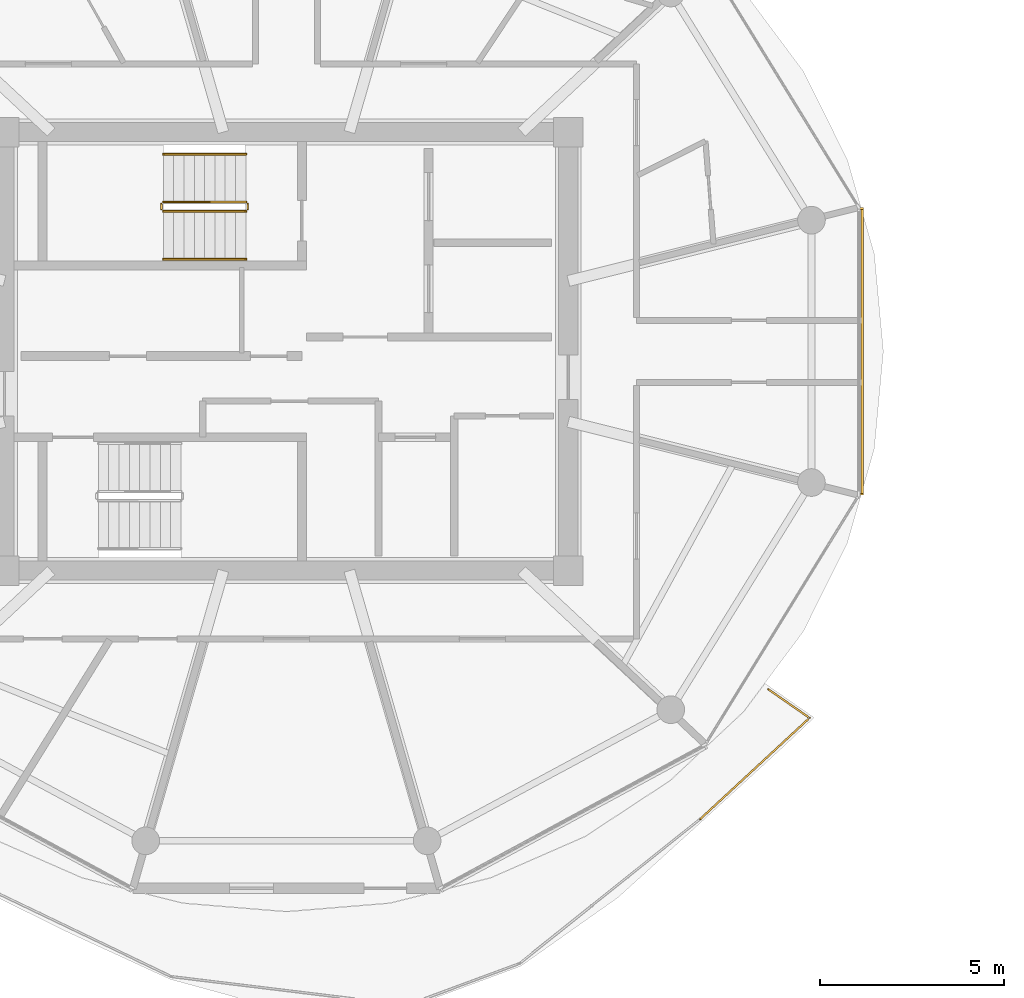
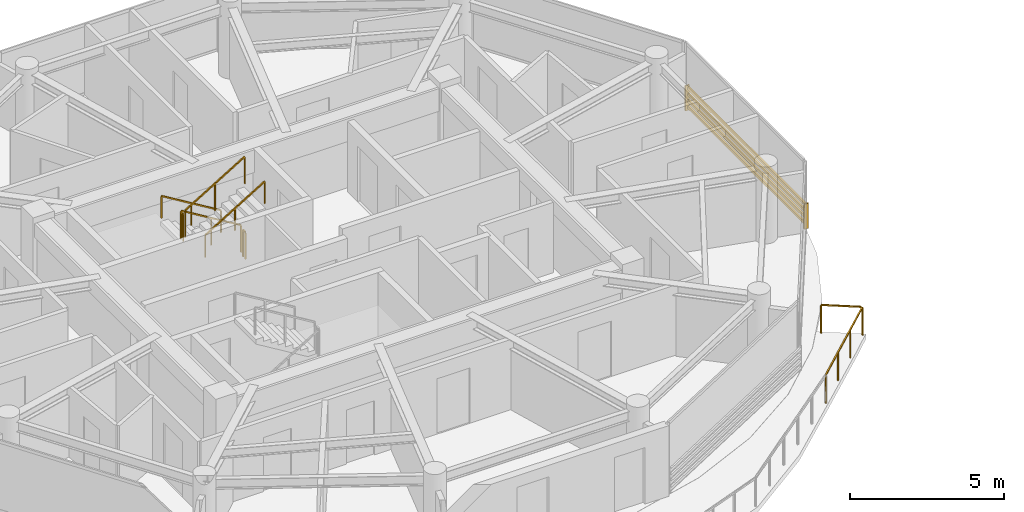
# One storey, part 17 of 19: 7 railings, 1 shading device.
"""IFC4 building model written with IfcOpenShell, lengths in metres."""

from ifc_helpers import new_model, si_unit, direction, frame, origin, origin_2d, place, context, subcontext, project, spatial, rectangle, extrude, source, transform, mapped, material, type_object, type_shapes, element, save


model = new_model("IFC4")

# Units and contexts
model_context = context("Model", 3, precision=1e-05, world=origin(), true_north=direction((0.0, 1.0)))
body_context = subcontext(model_context, "Body", "Model", "MODEL_VIEW")
ifc_project = project(units=[si_unit("LENGTHUNIT", "METRE"), si_unit("AREAUNIT", "SQUARE_METRE"), si_unit("VOLUMEUNIT", "CUBIC_METRE"), si_unit("PLANEANGLEUNIT", "RADIAN"), si_unit("MASSUNIT", "GRAM", prefix="KILO")], contexts=[model_context])

# Site, building, storey
site_placement = place(None, origin())
site = spatial("IfcSite", under=ifc_project, at=site_placement, CompositionType="ELEMENT")
building_placement = place(site_placement, origin())
building = spatial("IfcBuilding", under=site, at=building_placement, Name="Norrkilde Senior Care Towers", CompositionType="ELEMENT")
storey_placement = place(building_placement, frame((0.0, 0.0, 235.25)))
storey = spatial("IfcBuildingStorey", under=building, at=storey_placement, Name="L73", CompositionType="ELEMENT", Elevation=235.25)

# Railings
ifc_material_1 = material(Name="Anodised Aluminium", Category="aluminium")
railing_type_1 = type_object("IfcRailingType", Name="Balcony Swirl Ribbon Guardrail 1150", PredefinedType="GUARDRAIL", material=ifc_material_1)
railing_1_placement = place(storey_placement, frame((-14.91943359375, -9.1728515625, 0.0)))
element("IfcRailing", 1, at=railing_1_placement, inside=storey, type_object=railing_type_1, Name="L73 Perimeter Safety Guard 03", PredefinedType="GUARDRAIL", context=body_context, shape_type="SweptSolid", body=[
    extrude(rectangle(XDim=0.048095703125, YDim=0.048095703125, at=origin_2d()), frame((0.0, 0.0, 1.1259765625), z_axis=(0.821667213212, -0.569967534805, 0.0), x_axis=(0.569967534805, 0.821667213212, 0.0)), (0.0, 0.0, 1.0), 1.316162109375),
    extrude(rectangle(XDim=0.048095703125, YDim=0.048095703125, at=origin_2d()), frame((1.0849609375, -0.80126953125, 1.1259765625), z_axis=(-0.734152148145, -0.678984994955, 0.0), x_axis=(0.678984994955, -0.734152148145, 0.0)), (0.0, 0.0, 1.0), 3.99951171875),
    extrude(rectangle(XDim=0.0419921875, YDim=0.0419921875, at=origin_2d()), origin(), (0.0, 0.0, 1.0), 1.099853515625),
    extrude(rectangle(XDim=0.0419921875, YDim=0.0419921875, at=origin_2d()), frame((1.114990234375, -0.7734375, 0.0)), (0.0, 0.0, 1.0), 1.099853515625),
    extrude(rectangle(XDim=0.0419921875, YDim=0.0419921875, at=origin_2d()), frame((0.126220703125, -1.68798828125, 0.0)), (0.0, 0.0, 1.0), 1.099853515625),
    extrude(rectangle(XDim=0.0419921875, YDim=0.0419921875, at=origin_2d()), frame((-0.862548828125, -2.602294921875, 0.0)), (0.0, 0.0, 1.0), 1.099853515625),
    extrude(rectangle(XDim=0.0419921875, YDim=0.0419921875, at=origin_2d()), frame((-1.851318359375, -3.516845703125, 0.0)), (0.0, 0.0, 1.0), 1.099853515625),
])
ifc_material_2 = material(Name="Stainless Steel", Category="steel")
railing_type_2 = type_object("IfcRailingType", Name="Stair and Terrace Guardrail 1100", PredefinedType="GUARDRAIL", material=ifc_material_2)
railing_2_placement = place(storey_placement, frame((-29.10009765625, 4.050048828125, 0.16943359375)))
element("IfcRailing", 2, at=railing_2_placement, inside=storey, type_object=railing_type_2, Name="L73 ST-W1 stair guard 1", PredefinedType="GUARDRAIL", context=body_context, shape_type="SweptSolid", body=[
    extrude(rectangle(XDim=0.048095703125, YDim=0.048095703125, at=origin_2d()), frame((0.0, 0.0, 1.076171875), z_axis=(-0.855553338991, 0.0, 0.51771467445), x_axis=(0.0, -1.0, 0.0)), (0.0, 0.0, 1.0), 2.6181640625),
    extrude(rectangle(XDim=0.0419921875, YDim=0.0419921875, at=origin_2d()), origin(), (0.0, 0.0, 1.0), 1.050048828125),
    extrude(rectangle(XDim=0.0419921875, YDim=0.0419921875, at=origin_2d()), frame((-1.1201171875, 0.0, 0.677734375)), (0.0, 0.0, 1.0), 1.050048828125),
    extrude(rectangle(XDim=0.0419921875, YDim=0.0419921875, at=origin_2d()), frame((-2.239990234375, 0.0, 1.35546875)), (0.0, 0.0, 1.0), 1.050048828125),
])
railing_3_placement = place(storey_placement, frame((-31.389892578125, 4.0, 1.52490234375)))
element("IfcRailing", 3, at=railing_3_placement, inside=storey, type_object=railing_type_2, Name="L73 ST-W1 stair guard 2", PredefinedType="GUARDRAIL", context=body_context, shape_type="SweptSolid", body=[
    extrude(rectangle(XDim=0.048095703125, YDim=0.048095703125, at=origin_2d()), frame((0.0, 0.0, 1.076171875), z_axis=(0.0, -1.0, 0.0), x_axis=(1.0, 0.0, 0.0)), (0.0, 0.0, 1.0), 0.14990234375),
    extrude(rectangle(XDim=0.0419921875, YDim=0.0419921875, at=origin_2d()), origin(), (0.0, 0.0, 1.0), 1.050048828125),
    extrude(rectangle(XDim=0.0419921875, YDim=0.0419921875, at=origin_2d()), frame((0.0, -0.14990234375, 0.0)), (0.0, 0.0, 1.0), 1.050048828125),
])
railing_4_placement = place(storey_placement, frame((-31.340087890625, 3.800048828125, 1.6943359375)))
element("IfcRailing", 4, at=railing_4_placement, inside=storey, type_object=railing_type_2, Name="L73 ST-W1 stair guard 3", PredefinedType="GUARDRAIL", context=body_context, shape_type="SweptSolid", body=[
    extrude(rectangle(XDim=0.048095703125, YDim=0.048095703125, at=origin_2d()), frame((0.0, 0.0, 1.076171875), z_axis=(0.855512035549, 0.0, 0.517782924622), x_axis=(0.0, 1.0, 0.0)), (0.0, 0.0, 1.0), 2.618408203125),
    extrude(rectangle(XDim=0.0419921875, YDim=0.0419921875, at=origin_2d()), origin(), (0.0, 0.0, 1.0), 1.050048828125),
    extrude(rectangle(XDim=0.0419921875, YDim=0.0419921875, at=origin_2d()), frame((1.1201171875, 0.0, 0.677734375)), (0.0, 0.0, 1.0), 1.050048828125),
    extrude(rectangle(XDim=0.0419921875, YDim=0.0419921875, at=origin_2d()), frame((2.239990234375, 0.0, 1.355712890625)), (0.0, 0.0, 1.0), 1.050048828125),
])
railing_5_placement = place(storey_placement, frame((-29.050048828125, 4.0, 0.0)))
element("IfcRailing", 5, at=railing_5_placement, inside=storey, type_object=railing_type_2, Name="L73 ST-W1 stair guard 4", PredefinedType="GUARDRAIL", context=body_context, shape_type="SweptSolid", body=[
    extrude(rectangle(XDim=0.048095703125, YDim=0.048095703125, at=origin_2d()), frame((0.0, 0.0, 1.076171875), z_axis=(0.0, -1.0, 0.0), x_axis=(1.0, 0.0, 0.0)), (0.0, 0.0, 1.0), 0.14990234375),
    extrude(rectangle(XDim=0.0419921875, YDim=0.0419921875, at=origin_2d()), origin(), (0.0, 0.0, 1.0), 1.050048828125),
    extrude(rectangle(XDim=0.0419921875, YDim=0.0419921875, at=origin_2d()), frame((0.0, -0.14990234375, 0.0)), (0.0, 0.0, 1.0), 1.050048828125),
])
ifc_material_3 = material(Name="Nordic Ash Timber", Category="wood")
railing_type_3 = type_object("IfcRailingType", Name="Wall and Stair Handrail 900", PredefinedType="HANDRAIL", material=ifc_material_3)
railing_6_placement = place(storey_placement, frame((-29.10009765625, 5.35009765625, 0.16943359375)))
element("IfcRailing", 6, at=railing_6_placement, inside=storey, type_object=railing_type_3, Name="L73 ST-W1 stair handrail 1", PredefinedType="HANDRAIL", context=body_context, shape_type="SweptSolid", body=[
    extrude(rectangle(XDim=0.048095703125, YDim=0.048095703125, at=origin_2d()), frame((0.0, 0.0, 0.8759765625), z_axis=(-0.855553338991, 0.0, 0.51771467445), x_axis=(0.0, -1.0, 0.0)), (0.0, 0.0, 1.0), 2.6181640625),
    extrude(rectangle(XDim=0.0419921875, YDim=0.0419921875, at=origin_2d()), origin(), (0.0, 0.0, 1.0), 0.849853515625),
    extrude(rectangle(XDim=0.0419921875, YDim=0.0419921875, at=origin_2d()), frame((-1.1201171875, 0.0, 0.677734375)), (0.0, 0.0, 1.0), 0.849853515625),
    extrude(rectangle(XDim=0.0419921875, YDim=0.0419921875, at=origin_2d()), frame((-2.239990234375, 0.0, 1.35546875)), (0.0, 0.0, 1.0), 0.849853515625),
])
railing_7_placement = place(storey_placement, frame((-31.340087890625, 2.5, 1.6943359375)))
element("IfcRailing", 7, at=railing_7_placement, inside=storey, type_object=railing_type_3, Name="L73 ST-W1 stair handrail 2", PredefinedType="HANDRAIL", context=body_context, shape_type="SweptSolid", body=[
    extrude(rectangle(XDim=0.048095703125, YDim=0.048095703125, at=origin_2d()), frame((0.0, 0.0, 0.8759765625), z_axis=(0.855512035549, 0.0, 0.517782924622), x_axis=(0.0, 1.0, 0.0)), (0.0, 0.0, 1.0), 2.618408203125),
    extrude(rectangle(XDim=0.0419921875, YDim=0.0419921875, at=origin_2d()), origin(), (0.0, 0.0, 1.0), 0.849853515625),
    extrude(rectangle(XDim=0.0419921875, YDim=0.0419921875, at=origin_2d()), frame((1.1201171875, 0.0, 0.677734375)), (0.0, 0.0, 1.0), 0.849853515625),
    extrude(rectangle(XDim=0.0419921875, YDim=0.0419921875, at=origin_2d()), frame((2.239990234375, 0.0, 1.355712890625)), (0.0, 0.0, 1.0), 0.849853515625),
])

# Shading device
ifc_material_4 = material(Name="Architectural Terracotta", Category="masonry")
shading_device_type = type_object("IfcShadingDeviceType", Name="Horizontal Terracotta Baguette Rack", PredefinedType="USERDEFINED", material=ifc_material_4)
shared_shape = source(origin(), body_context, "Body", "SweptSolid", [
    extrude(rectangle(XDim=0.070068359375, YDim=0.110107421875, at=origin_2d()), frame((0.0, 0.090087890625, 0.125), z_axis=(1.0, 0.0, 0.0), x_axis=(0.0, 1.0, 0.0)), (0.0, 0.0, 1.0), 7.80615234375),
    extrude(rectangle(XDim=0.070068359375, YDim=0.110107421875, at=origin_2d()), frame((0.0, 0.090087890625, 0.375), z_axis=(1.0, 0.0, 0.0), x_axis=(0.0, 1.0, 0.0)), (0.0, 0.0, 1.0), 7.80615234375),
    extrude(rectangle(XDim=0.070068359375, YDim=0.110107421875, at=origin_2d()), frame((0.0, 0.090087890625, 0.625), z_axis=(1.0, 0.0, 0.0), x_axis=(0.0, 1.0, 0.0)), (0.0, 0.0, 1.0), 7.80615234375),
    extrude(rectangle(XDim=0.070068359375, YDim=0.110107421875, at=origin_2d()), frame((0.0, 0.090087890625, 0.875), z_axis=(1.0, 0.0, 0.0), x_axis=(0.0, 1.0, 0.0)), (0.0, 0.0, 1.0), 7.80615234375),
    extrude(rectangle(XDim=0.050048828125, YDim=0.1552734375, at=origin_2d()), frame((0.02490234375, 0.047607421875, 0.0)), (0.0, 0.0, 1.0), 1.0),
    extrude(rectangle(XDim=0.050048828125, YDim=0.1552734375, at=origin_2d()), frame((7.78125, 0.047607421875, 0.0)), (0.0, 0.0, 1.0), 1.0),
])
type_shapes(shading_device_type, [shared_shape])
shading_device_placement = place(storey_placement, frame((-12.468017578125, 3.903076171875, 0.080078125), z_axis=(0.0, 0.0, 1.0), x_axis=(0.0, -1.0, 0.0)))
element("IfcShadingDevice", 8, at=shading_device_placement, inside=storey, type_object=shading_device_type, Name="L73 Drum W Terracotta Baguette Screen 11", ObjectType="BAGUETTE", PredefinedType="USERDEFINED", context=body_context, shape_type="MappedRepresentation", body=[
    mapped(shared_shape, transform((0.0, 0.0, 0.0), x_axis=(1.0, 0.0, 0.0), y_axis=(0.0, 1.0, 0.0), z_axis=(0.0, 0.0, 1.0), scale=1.0)),
])

save(model, "model.ifc")
